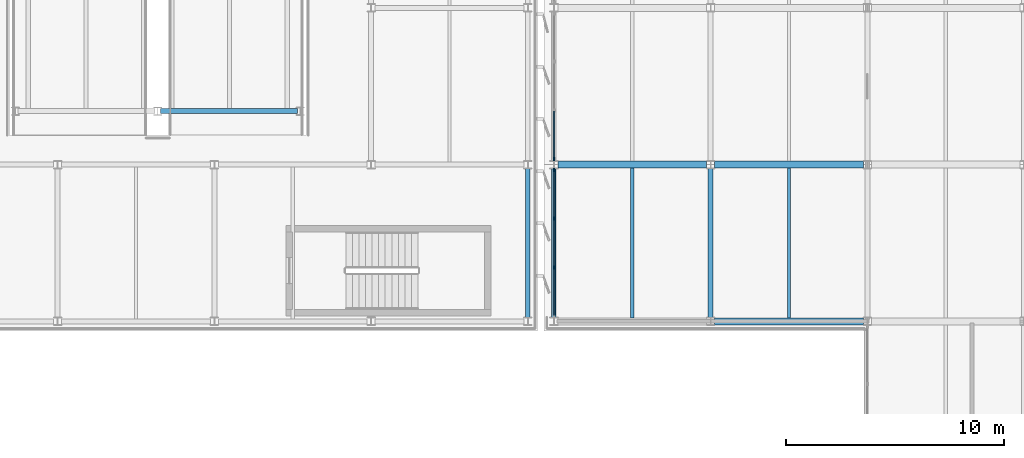
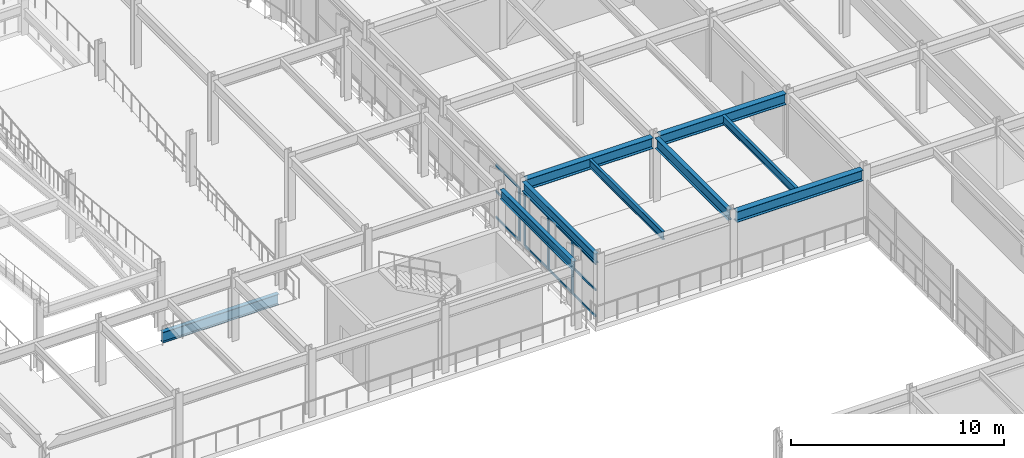
# One storey, part 42 of 93: 16 members, 9 beams, 2 elements without a shape of their own.
"""IFC4 building model written with IfcOpenShell, lengths in metres."""

from ifc_helpers import new_model, si_unit, direction, frame, origin, origin_2d, place, context, subcontext, project, spatial, rectangle, i_section, extrude, material, material_profile, profile_set, type_object, element, aggregate, save


model = new_model("IFC4")

# Units and contexts
model_context = context("Model", 3, precision=1e-05, world=origin(), true_north=direction((0.0, 1.0)))
body_context = subcontext(model_context, "Body", "Model", "MODEL_VIEW")
ifc_project = project(units=[si_unit("LENGTHUNIT", "METRE"), si_unit("AREAUNIT", "SQUARE_METRE"), si_unit("VOLUMEUNIT", "CUBIC_METRE"), si_unit("PLANEANGLEUNIT", "RADIAN"), si_unit("MASSUNIT", "GRAM", prefix="KILO")], contexts=[model_context])

# Site, building, storey
site_placement = place(None, origin())
site = spatial("IfcSite", under=ifc_project, at=site_placement, CompositionType="ELEMENT")
building_placement = place(site_placement, origin())
building = spatial("IfcBuilding", under=site, at=building_placement, Name="Vaelcorin Mobility Hub", CompositionType="ELEMENT")
storey_placement = place(building_placement, frame((0.0, 0.0, 5.39990234375)))
storey = spatial("IfcBuildingStorey", under=building, at=storey_placement, Name="L01", CompositionType="ELEMENT", Elevation=5.39990234375)

# Beams
ifc_material_1 = material(Name="Steel ASTM A992 Grade 50", Category="steel")
ifc_material_profile_1 = material_profile(ifc_material_1, i_section(OverallWidth=0.152099609375, OverallDepth=0.455078125, WebThickness=0.008056640625, FlangeThickness=0.01318359375, FilletRadius=0.012939453125, at=origin_2d()), Name="W18X40")
ifc_profile_set_1 = profile_set([ifc_material_profile_1], Name="Steel ASTM A992 Grade 50")
beam_type_1 = type_object("IfcBeamType", Name="BM-W18X40", PredefinedType="JOIST", material=ifc_profile_set_1)
for number, where, z_axis, x_axis, name in (
    (1, (157.199951171875, 76.9599609375, 3.443115234375), (0.0, 1.0, 0.0), (-1.0, 0.0, 0.0), "L01 Beam V5-L01-J-01-09-1"),
    (2, (164.39990234375, 76.9599609375, 3.443115234375), (0.0, 1.0, 0.0), (-1.0, 0.0, 0.0), "L01 Beam V5-L01-J-02-09-1"),
):
    element("IfcBeam", number, at=place(storey_placement, frame(where, z_axis=z_axis, x_axis=x_axis)), inside=storey, type_object=beam_type_1, Name=name, PredefinedType="JOIST", context=body_context, shape_type="SweptSolid", body=[
        extrude(i_section(OverallWidth=0.152099609375, OverallDepth=0.455078125, WebThickness=0.008056640625, FlangeThickness=0.01318359375, FilletRadius=0.012939453125, at=origin_2d()), origin(), (0.0, 0.0, 1.0), 6.880126953125),
    ])
ifc_material_profile_2 = material_profile(ifc_material_1, i_section(OverallWidth=0.2099609375, OverallDepth=0.535888671875, WebThickness=0.010986328125, FlangeThickness=0.017333984375, FilletRadius=0.013916015625, at=origin_2d()), Name="W21X68")
ifc_profile_set_2 = profile_set([ifc_material_profile_2], Name="Steel ASTM A992 Grade 50")
beam_type_2 = type_object("IfcBeamType", Name="BM-W21X68", PredefinedType="SPANDREL", material=ifc_profile_set_2)
for number, where, z_axis, x_axis, name in (
    (3, (152.39990234375, 76.98388671875, 3.382080078125), (0.0, 1.0, 0.0), (-1.0, 0.0, 0.0), "L01 Beam V2E-L01-GY-05-01"),
    (4, (153.60009765625, 76.98388671875, 3.402099609375), (0.0, 1.0, 0.0), (-1.0, 0.0, 0.0), "L01 Beam V5-L01-GY-01-09"),
):
    element("IfcBeam", number, at=place(storey_placement, frame(where, z_axis=z_axis, x_axis=x_axis)), inside=storey, type_object=beam_type_2, Name=name, PredefinedType="SPANDREL", context=body_context, shape_type="SweptSolid", body=[
        extrude(i_section(OverallWidth=0.2099609375, OverallDepth=0.535888671875, WebThickness=0.010986328125, FlangeThickness=0.017333984375, FilletRadius=0.013916015625, at=origin_2d()), origin(), (0.0, 0.0, 1.0), 6.83203125),
    ])
ifc_material_profile_3 = material_profile(ifc_material_1, i_section(OverallWidth=0.324951171875, OverallDepth=0.612060546875, WebThickness=0.0126953125, FlangeThickness=0.01904296875, FilletRadius=0.014892578125, at=origin_2d()), Name="W24X104")
ifc_profile_set_3 = profile_set([ifc_material_profile_3], Name="Steel ASTM A992 Grade 50")
beam_type_3 = type_object("IfcBeamType", Name="BM-W24X104", PredefinedType="BEAM", material=ifc_profile_set_3)
beam_1_placement = place(storey_placement, frame((160.98388671875, 76.800048828125, 3.364013671875), z_axis=(1.0, 0.0, 0.0), x_axis=(0.0, 1.0, 0.0)))
element("IfcBeam", 5, at=beam_1_placement, inside=storey, type_object=beam_type_3, Name="L01 Beam V5-L01-GX-09-02", PredefinedType="BEAM", context=body_context, shape_type="SweptSolid", body=[
    extrude(i_section(OverallWidth=0.324951171875, OverallDepth=0.612060546875, WebThickness=0.0126953125, FlangeThickness=0.01904296875, FilletRadius=0.014892578125, at=origin_2d()), origin(), (0.0, 0.0, 1.0), 6.83203125),
])
beam_2_placement = place(storey_placement, frame((153.783935546875, 84.0, 3.364013671875), z_axis=(1.0, 0.0, 0.0), x_axis=(0.0, 1.0, 0.0)))
element("IfcBeam", 6, at=beam_2_placement, inside=storey, type_object=beam_type_3, Name="L01 Beam V5-L01-GX-10-01", PredefinedType="BEAM", context=body_context, shape_type="SweptSolid", body=[
    extrude(i_section(OverallWidth=0.324951171875, OverallDepth=0.612060546875, WebThickness=0.0126953125, FlangeThickness=0.01904296875, FilletRadius=0.014892578125, at=origin_2d()), origin(), (0.0, 0.0, 1.0), 6.8310546875),
])
beam_3_placement = place(storey_placement, frame((160.98388671875, 84.0, 3.364013671875), z_axis=(1.0, 0.0, 0.0), x_axis=(0.0, 1.0, 0.0)))
element("IfcBeam", 7, at=beam_3_placement, inside=storey, type_object=beam_type_3, Name="L01 Beam V5-L01-GX-10-02", PredefinedType="BEAM", context=body_context, shape_type="SweptSolid", body=[
    extrude(i_section(OverallWidth=0.324951171875, OverallDepth=0.612060546875, WebThickness=0.0126953125, FlangeThickness=0.01904296875, FilletRadius=0.014892578125, at=origin_2d()), origin(), (0.0, 0.0, 1.0), 6.83203125),
])
ifc_material_profile_4 = material_profile(ifc_material_1, i_section(OverallWidth=0.22900390625, OverallDepth=0.612060546875, WebThickness=0.011962890625, FlangeThickness=0.01953125, FilletRadius=0.014892578125, at=origin_2d()), Name="W24X84")
ifc_profile_set_4 = profile_set([ifc_material_profile_4], Name="Steel ASTM A992 Grade 50")
beam_type_4 = type_object("IfcBeamType", Name="BM-W24X84", PredefinedType="BEAM", material=ifc_profile_set_4)
beam_4_placement = place(storey_placement, frame((160.800048828125, 76.98388671875, 3.364013671875), z_axis=(0.0, 1.0, 0.0), x_axis=(-1.0, 0.0, 0.0)))
element("IfcBeam", 8, at=beam_4_placement, inside=storey, type_object=beam_type_4, Name="L01 Beam V5-L01-GY-02-09", PredefinedType="BEAM", context=body_context, shape_type="SweptSolid", body=[
    extrude(i_section(OverallWidth=0.22900390625, OverallDepth=0.612060546875, WebThickness=0.011962890625, FlangeThickness=0.01953125, FilletRadius=0.014892578125, at=origin_2d()), origin(), (0.0, 0.0, 1.0), 6.83203125),
])
beam_5_placement = place(storey_placement, frame((135.530029296875, 86.449951171875, -0.4990234375), z_axis=(1.0, 0.0, 0.0), x_axis=(0.0, 1.0, 0.0)))
element("IfcBeam", 9, at=beam_5_placement, inside=storey, type_object=beam_type_4, Name="Vehicle Ramp VR-2 L01 Bent Girder F1S", PredefinedType="BEAM", context=body_context, shape_type="SweptSolid", body=[
    extrude(i_section(OverallWidth=0.22900390625, OverallDepth=0.612060546875, WebThickness=0.011962890625, FlangeThickness=0.01953125, FilletRadius=0.014892578125, at=origin_2d()), origin(), (0.0, 0.0, 1.0), 6.2900390625),
])

# Curtain wall, members
ifc_material_2 = material(Name="Anodised aluminium 6063-T6", Category="aluminium")
curtain_wall_type = type_object("IfcCurtainWallType", Name="CW-MOB-A", PredefinedType="NOTDEFINED", material=ifc_material_2)
curtain_wall_1_placement = place(storey_placement, origin())
curtain_wall_1 = element("IfcCurtainWall", 10, at=curtain_wall_1_placement, inside=storey, type_object=curtain_wall_type, Name="L01 Curtain Wall CW-V5-L01-WN-01", PredefinedType="NOTDEFINED")
ifc_material_profile_5 = material_profile(ifc_material_2, rectangle(XDim=0.06005859375, YDim=0.159912109375, at=origin_2d()), Name="ALU-M60X160")
ifc_profile_set_5 = profile_set([ifc_material_profile_5], Name="Anodised aluminium 6063-T6")
member_type_1 = type_object("IfcMemberType", Name="CW-MULL-160", PredefinedType="MULLION", material=ifc_profile_set_5)
member_1_placement = place(storey_placement, frame((153.60009765625, 79.2734375, 0.0), z_axis=(0.0, 0.0, 1.0), x_axis=(-1.0, 0.0, 0.0)))
member_1 = element("IfcMember", 11, at=member_1_placement, type_object=member_type_1, Name="CW7 mullion 2", PredefinedType="MULLION", context=body_context, shape_type="SweptSolid", body=[
    extrude(rectangle(XDim=0.06005859375, YDim=0.159912109375, at=origin_2d()), origin(), (0.0, 0.0, 1.0), 3.043212890625),
])
member_2_placement = place(storey_placement, frame((153.60009765625, 81.526611328125, 0.0), z_axis=(0.0, 0.0, 1.0), x_axis=(-1.0, 0.0, 0.0)))
member_2 = element("IfcMember", 12, at=member_2_placement, type_object=member_type_1, Name="CW7 mullion 3", PredefinedType="MULLION", context=body_context, shape_type="SweptSolid", body=[
    extrude(rectangle(XDim=0.06005859375, YDim=0.159912109375, at=origin_2d()), origin(), (0.0, 0.0, 1.0), 3.043212890625),
])
member_3_placement = place(storey_placement, frame((153.60009765625, 83.75, 0.0), z_axis=(0.0, 0.0, 1.0), x_axis=(-1.0, 0.0, 0.0)))
member_3 = element("IfcMember", 13, at=member_3_placement, type_object=member_type_1, Name="CW7 mullion 4", PredefinedType="MULLION", context=body_context, shape_type="SweptSolid", body=[
    extrude(rectangle(XDim=0.06005859375, YDim=0.159912109375, at=origin_2d()), origin(), (0.0, 0.0, 1.0), 3.043212890625),
])

# Curtain wall, member
curtain_wall_2_placement = place(storey_placement, origin())
curtain_wall_2 = element("IfcCurtainWall", 14, at=curtain_wall_2_placement, inside=storey, type_object=curtain_wall_type, Name="L01 Curtain Wall CW-V5-L01-WN-02", PredefinedType="NOTDEFINED")
member_4_placement = place(storey_placement, frame((153.60009765625, 84.25, 0.0), z_axis=(0.0, 0.0, 1.0), x_axis=(-1.0, 0.0, 0.0)))
member_4 = element("IfcMember", 15, at=member_4_placement, type_object=member_type_1, Name="CW7 mullion 1", PredefinedType="MULLION", context=body_context, shape_type="SweptSolid", body=[
    extrude(rectangle(XDim=0.06005859375, YDim=0.159912109375, at=origin_2d()), origin(), (0.0, 0.0, 1.0), 3.043212890625),
])

# Member
ifc_material_profile_6 = material_profile(ifc_material_2, rectangle(XDim=0.06005859375, YDim=0.1201171875, at=origin_2d()), Name="ALU-T60X120")
ifc_profile_set_6 = profile_set([ifc_material_profile_6], Name="Anodised aluminium 6063-T6")
member_type_2 = type_object("IfcMemberType", Name="CW-TRAN-140", PredefinedType="USERDEFINED", material=ifc_profile_set_6)
member_5_placement = place(storey_placement, frame((153.60009765625, 77.080078125, 0.030029296875), z_axis=(0.0, 1.0, 0.0), x_axis=(-1.0, 0.0, 0.0)))
member_5 = element("IfcMember", 16, at=member_5_placement, type_object=member_type_2, Name="CW7 transom 1.1", ObjectType="TRANSOM", PredefinedType="USERDEFINED", context=body_context, shape_type="SweptSolid", body=[
    extrude(rectangle(XDim=0.06005859375, YDim=0.1201171875, at=origin_2d()), origin(), (0.0, 0.0, 1.0), 2.163330078125),
])

member_6_placement = place(storey_placement, frame((153.60009765625, 77.080078125, 1.522216796875), z_axis=(0.0, 1.0, 0.0), x_axis=(-1.0, 0.0, 0.0)))
member_6 = element("IfcMember", 17, at=member_6_placement, type_object=member_type_2, Name="CW7 transom 1.2", ObjectType="TRANSOM", PredefinedType="USERDEFINED", context=body_context, shape_type="SweptSolid", body=[
    extrude(rectangle(XDim=0.06005859375, YDim=0.1201171875, at=origin_2d()), origin(), (0.0, 0.0, 1.0), 2.163330078125),
])

member_7_placement = place(storey_placement, frame((153.60009765625, 77.080078125, 3.01318359375), z_axis=(0.0, 1.0, 0.0), x_axis=(-1.0, 0.0, 0.0)))
member_7 = element("IfcMember", 18, at=member_7_placement, type_object=member_type_2, Name="CW7 transom 1.3", ObjectType="TRANSOM", PredefinedType="USERDEFINED", context=body_context, shape_type="SweptSolid", body=[
    extrude(rectangle(XDim=0.06005859375, YDim=0.1201171875, at=origin_2d()), origin(), (0.0, 0.0, 1.0), 2.163330078125),
])

member_8_placement = place(storey_placement, frame((153.60009765625, 79.30322265625, 0.030029296875), z_axis=(0.0, 1.0, 0.0), x_axis=(-1.0, 0.0, 0.0)))
member_8 = element("IfcMember", 19, at=member_8_placement, type_object=member_type_2, Name="CW7 transom 2.1", ObjectType="TRANSOM", PredefinedType="USERDEFINED", context=body_context, shape_type="SweptSolid", body=[
    extrude(rectangle(XDim=0.06005859375, YDim=0.1201171875, at=origin_2d()), origin(), (0.0, 0.0, 1.0), 2.193359375),
])

member_9_placement = place(storey_placement, frame((153.60009765625, 79.30322265625, 1.522216796875), z_axis=(0.0, 1.0, 0.0), x_axis=(-1.0, 0.0, 0.0)))
member_9 = element("IfcMember", 20, at=member_9_placement, type_object=member_type_2, Name="CW7 transom 2.2", ObjectType="TRANSOM", PredefinedType="USERDEFINED", context=body_context, shape_type="SweptSolid", body=[
    extrude(rectangle(XDim=0.06005859375, YDim=0.1201171875, at=origin_2d()), origin(), (0.0, 0.0, 1.0), 2.193359375),
])

member_10_placement = place(storey_placement, frame((153.60009765625, 79.30322265625, 3.01318359375), z_axis=(0.0, 1.0, 0.0), x_axis=(-1.0, 0.0, 0.0)))
member_10 = element("IfcMember", 21, at=member_10_placement, type_object=member_type_2, Name="CW7 transom 2.3", ObjectType="TRANSOM", PredefinedType="USERDEFINED", context=body_context, shape_type="SweptSolid", body=[
    extrude(rectangle(XDim=0.06005859375, YDim=0.1201171875, at=origin_2d()), origin(), (0.0, 0.0, 1.0), 2.193359375),
])

member_11_placement = place(storey_placement, frame((153.60009765625, 81.556640625, 0.030029296875), z_axis=(0.0, 1.0, 0.0), x_axis=(-1.0, 0.0, 0.0)))
member_11 = element("IfcMember", 22, at=member_11_placement, type_object=member_type_2, Name="CW7 transom 3.1", ObjectType="TRANSOM", PredefinedType="USERDEFINED", context=body_context, shape_type="SweptSolid", body=[
    extrude(rectangle(XDim=0.06005859375, YDim=0.1201171875, at=origin_2d()), origin(), (0.0, 0.0, 1.0), 2.163330078125),
])

member_12_placement = place(storey_placement, frame((153.60009765625, 81.556640625, 1.522216796875), z_axis=(0.0, 1.0, 0.0), x_axis=(-1.0, 0.0, 0.0)))
member_12 = element("IfcMember", 23, at=member_12_placement, type_object=member_type_2, Name="CW7 transom 3.2", ObjectType="TRANSOM", PredefinedType="USERDEFINED", context=body_context, shape_type="SweptSolid", body=[
    extrude(rectangle(XDim=0.06005859375, YDim=0.1201171875, at=origin_2d()), origin(), (0.0, 0.0, 1.0), 2.163330078125),
])

member_13_placement = place(storey_placement, frame((153.60009765625, 81.556640625, 3.01318359375), z_axis=(0.0, 1.0, 0.0), x_axis=(-1.0, 0.0, 0.0)))
member_13 = element("IfcMember", 24, at=member_13_placement, type_object=member_type_2, Name="CW7 transom 3.3", ObjectType="TRANSOM", PredefinedType="USERDEFINED", context=body_context, shape_type="SweptSolid", body=[
    extrude(rectangle(XDim=0.06005859375, YDim=0.1201171875, at=origin_2d()), origin(), (0.0, 0.0, 1.0), 2.163330078125),
])

aggregate(curtain_wall_1, [member_1, member_2, member_3, member_5, member_6, member_7, member_8, member_9, member_10, member_11, member_12, member_13])

member_14_placement = place(storey_placement, frame((153.60009765625, 84.280029296875, 0.030029296875), z_axis=(0.0, 1.0, 0.0), x_axis=(-1.0, 0.0, 0.0)))
member_14 = element("IfcMember", 25, at=member_14_placement, type_object=member_type_2, Name="CW7 transom 1.1", ObjectType="TRANSOM", PredefinedType="USERDEFINED", context=body_context, shape_type="SweptSolid", body=[
    extrude(rectangle(XDim=0.06005859375, YDim=0.1201171875, at=origin_2d()), origin(), (0.0, 0.0, 1.0), 2.163330078125),
])

member_15_placement = place(storey_placement, frame((153.60009765625, 84.280029296875, 1.522216796875), z_axis=(0.0, 1.0, 0.0), x_axis=(-1.0, 0.0, 0.0)))
member_15 = element("IfcMember", 26, at=member_15_placement, type_object=member_type_2, Name="CW7 transom 1.2", ObjectType="TRANSOM", PredefinedType="USERDEFINED", context=body_context, shape_type="SweptSolid", body=[
    extrude(rectangle(XDim=0.06005859375, YDim=0.1201171875, at=origin_2d()), origin(), (0.0, 0.0, 1.0), 2.163330078125),
])

member_16_placement = place(storey_placement, frame((153.60009765625, 84.280029296875, 3.01318359375), z_axis=(0.0, 1.0, 0.0), x_axis=(-1.0, 0.0, 0.0)))
member_16 = element("IfcMember", 27, at=member_16_placement, type_object=member_type_2, Name="CW7 transom 1.3", ObjectType="TRANSOM", PredefinedType="USERDEFINED", context=body_context, shape_type="SweptSolid", body=[
    extrude(rectangle(XDim=0.06005859375, YDim=0.1201171875, at=origin_2d()), origin(), (0.0, 0.0, 1.0), 2.163330078125),
])

aggregate(curtain_wall_2, [member_4, member_14, member_15, member_16])

save(model, "model.ifc")
